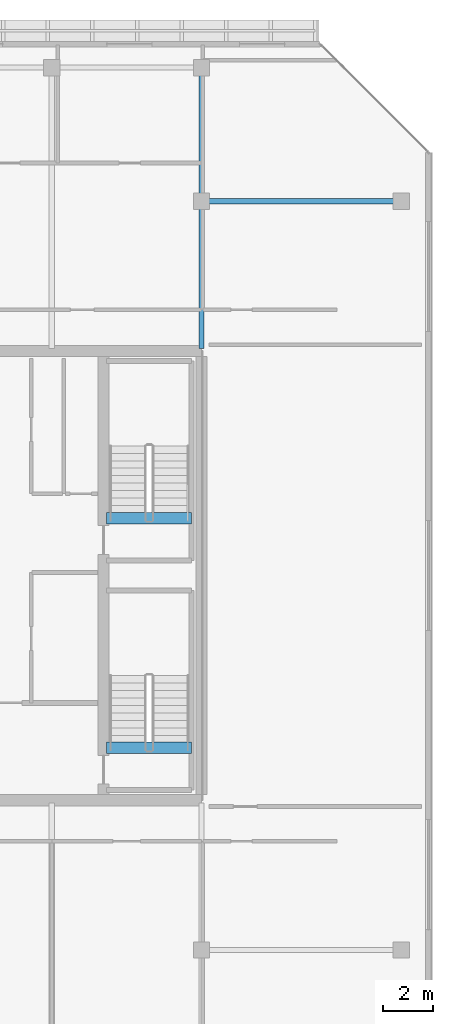
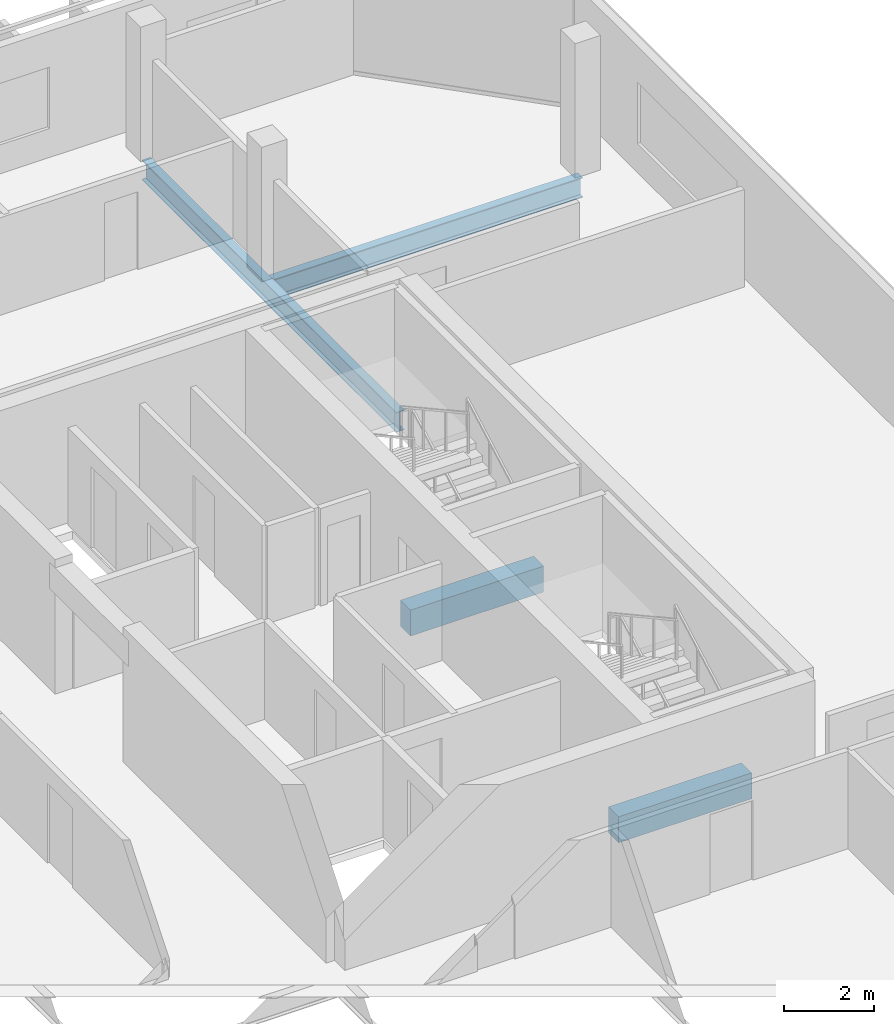
# One storey, part 17 of 28: 4 beams.
"""IFC4 building model written with IfcOpenShell, lengths in metres."""

from ifc_helpers import new_model, si_unit, direction, frame, origin, origin_2d, place, context, subcontext, project, spatial, rectangle, i_section, extrude, material, material_profile, profile_set, type_object, element, save


model = new_model("IFC4")

# Units and contexts
model_context = context("Model", 3, precision=1e-05, world=origin(), true_north=direction((0.0, 1.0)))
body_context = subcontext(model_context, "Body", "Model", "MODEL_VIEW")
ifc_project = project(units=[si_unit("LENGTHUNIT", "METRE"), si_unit("AREAUNIT", "SQUARE_METRE"), si_unit("VOLUMEUNIT", "CUBIC_METRE"), si_unit("PLANEANGLEUNIT", "RADIAN"), si_unit("MASSUNIT", "GRAM", prefix="KILO")], contexts=[model_context])

# Site, building, storey
site_placement = place(None, origin())
site = spatial("IfcSite", under=ifc_project, at=site_placement, CompositionType="ELEMENT")
building_placement = place(site_placement, origin())
building = spatial("IfcBuilding", under=site, at=building_placement, Name="Tanjung Sevakor Pilgrim Tower", CompositionType="ELEMENT")
storey_placement = place(building_placement, frame((0.0, 0.0, 242.550048828125)))
storey = spatial("IfcBuildingStorey", under=building, at=storey_placement, Name="L68", CompositionType="ELEMENT", Elevation=242.550048828125)

# Beams
ifc_material_1 = material(Name="Steel S355J2", Category="steel")
ifc_material_profile_1 = material_profile(ifc_material_1, i_section(OverallWidth=0.2119140625, OverallDepth=0.54443359375, WebThickness=0.0126953125, FlangeThickness=0.021240234375, FilletRadius=0.0126953125, at=origin_2d()))
ifc_profile_set_1 = profile_set([ifc_material_profile_1], Name="Steel S355J2")
beam_type_1 = type_object("IfcBeamType", Name="BM-B-G5-UB_533x210x122", PredefinedType="BEAM", material=ifc_profile_set_1)
beam_1_placement = place(storey_placement, frame((90.0, 48.60009765625, -0.492431640625), z_axis=(1.0, 0.0, 0.0), x_axis=(0.0, 1.0, 0.0)))
element("IfcBeam", 1, at=beam_1_placement, inside=storey, type_object=beam_type_1, Name="L68 East Peak Wing Girder Y48.6", PredefinedType="BEAM", context=body_context, shape_type="SweptSolid", body=[
    extrude(i_section(OverallWidth=0.2119140625, OverallDepth=0.54443359375, WebThickness=0.0126953125, FlangeThickness=0.021240234375, FilletRadius=0.0126953125, at=origin_2d()), origin(), (0.0, 0.0, 1.0), 8.0),
])
ifc_material_2 = material(Name="Steel S355J2", Category="steel")
ifc_material_profile_2 = material_profile(ifc_material_2, i_section(OverallWidth=0.210693359375, OverallDepth=0.53955078125, WebThickness=0.01171875, FlangeThickness=0.018798828125, FilletRadius=0.0126953125, at=origin_2d()))
ifc_profile_set_2 = profile_set([ifc_material_profile_2], Name="Steel S355J2")
beam_type_2 = type_object("IfcBeamType", Name="BM-B-G6-UB_533x210x109", PredefinedType="BEAM", material=ifc_profile_set_2)
beam_2_placement = place(storey_placement, frame((90.0, 42.7060546875, -0.48974609375), z_axis=(0.0, 1.0, 0.0), x_axis=(-1.0, 0.0, 0.0)))
element("IfcBeam", 2, at=beam_2_placement, inside=storey, type_object=beam_type_2, Name="L68 EAST Girder 010", PredefinedType="BEAM", context=body_context, shape_type="SweptSolid", body=[
    extrude(i_section(OverallWidth=0.210693359375, OverallDepth=0.53955078125, WebThickness=0.01171875, FlangeThickness=0.018798828125, FilletRadius=0.0126953125, at=origin_2d()), origin(), (0.0, 0.0, 1.0), 11.243896484375),
])
ifc_material_3 = material(Name="Concrete C60/75", Category="concrete")
ifc_material_profile_3 = material_profile(ifc_material_3, rectangle(XDim=0.449951171875, YDim=0.699951171875, at=origin_2d()))
ifc_profile_set_3 = profile_set([ifc_material_profile_3], Name="Concrete C60/75")
beam_type_3 = type_object("IfcBeamType", Name="BM-B-LN3-RC-BM_450x700", PredefinedType="LINTEL", material=ifc_profile_set_3)
for number, where, z_axis, x_axis, name in (
    (3, (86.199951171875, 26.699951171875, -0.35009765625), (1.0, 0.0, 0.0), (0.0, 1.0, 0.0), "L68 TS-E1 Stair Threshold Beam"),
    (4, (86.199951171875, 35.89990234375, -0.35009765625), (1.0, 0.0, 0.0), (0.0, 1.0, 0.0), "L68 TS-E2 Stair Threshold Beam"),
):
    element("IfcBeam", number, at=place(storey_placement, frame(where, z_axis=z_axis, x_axis=x_axis)), inside=storey, type_object=beam_type_3, Name=name, PredefinedType="LINTEL", context=body_context, shape_type="SweptSolid", body=[
        extrude(rectangle(XDim=0.449951171875, YDim=0.699951171875, at=origin_2d()), origin(), (0.0, 0.0, 1.0), 3.400146484375),
    ])

save(model, "model.ifc")
